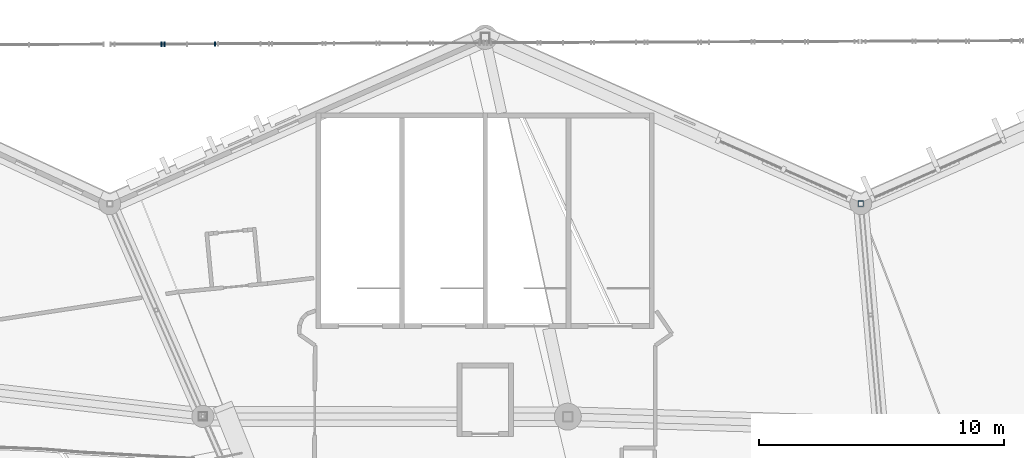
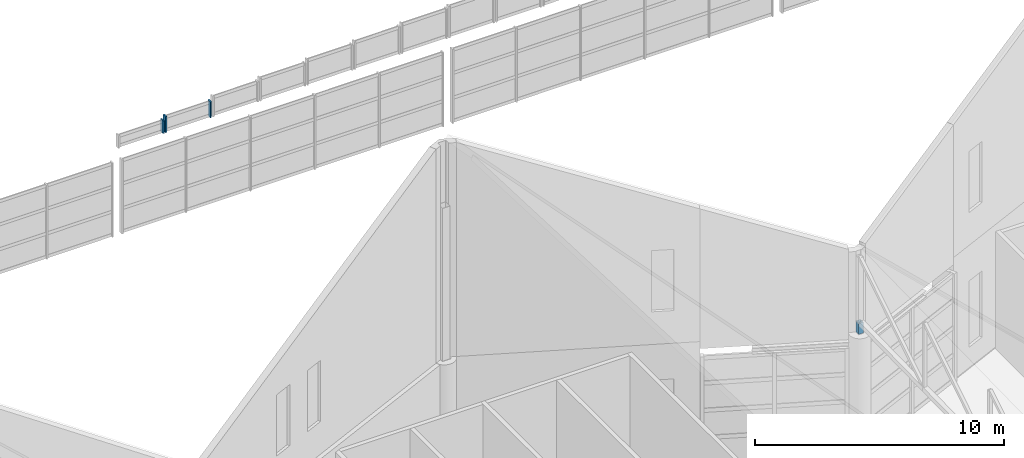
# One storey, part 220 of 344: 4 members, 2 elements without a shape of their own.
"""IFC4 building model written with IfcOpenShell, lengths in metres."""

from ifc_helpers import new_model, si_unit, direction, frame, origin, origin_2d, place, context, subcontext, project, spatial, rectangle, hollow_rectangle, extrude, material, layer, layer_set, material_profile, profile_set, type_object, element, aggregate, save


model = new_model("IFC4")

# Units and contexts
model_context = context("Model", 3, precision=1e-05, world=origin(), true_north=direction((0.0, 1.0)))
body_context = subcontext(model_context, "Body", "Model", "MODEL_VIEW")
ifc_project = project(units=[si_unit("LENGTHUNIT", "METRE"), si_unit("AREAUNIT", "SQUARE_METRE"), si_unit("VOLUMEUNIT", "CUBIC_METRE"), si_unit("PLANEANGLEUNIT", "RADIAN"), si_unit("MASSUNIT", "GRAM", prefix="KILO")], contexts=[model_context])

# Site, building, storey
site_placement = place(None, origin())
site = spatial("IfcSite", under=ifc_project, at=site_placement, CompositionType="ELEMENT")
building_placement = place(site_placement, origin())
building = spatial("IfcBuilding", under=site, at=building_placement, Name="Meseta Stadium", CompositionType="ELEMENT")
storey_placement = place(building_placement, frame((0.0, 0.0, 24.0)))
storey = spatial("IfcBuildingStorey", under=building, at=storey_placement, Name="L04", CompositionType="ELEMENT", Elevation=24.0)

# Curtain wall, members
ifc_material_1 = material(Name="Aluminium", Category="aluminium")
ifc_layer = layer(ifc_material_1, 0.199951171875)
ifc_layer_set = layer_set([ifc_layer], Name="Gable glazing curtain wall")
curtain_wall_type = type_object("IfcCurtainWallType", Name="Gable glazing curtain wall", PredefinedType="NOTDEFINED", material=ifc_layer_set)
curtain_wall_1_placement = place(storey_placement, origin())
curtain_wall_1 = element("IfcCurtainWall", 1, at=curtain_wall_1_placement, inside=storey, type_object=curtain_wall_type, Name="Gable glazing north bay 34", PredefinedType="NOTDEFINED")
ifc_material_2 = material(Name="Aluminium", Category="aluminium")
ifc_material_profile_1 = material_profile(ifc_material_2, rectangle(XDim=0.199951171875, YDim=0.06005859375, at=origin_2d()), Name="CW 200x60")
ifc_profile_set_1 = profile_set([ifc_material_profile_1], Name="Aluminium")
member_type_1 = type_object("IfcMemberType", Name="CW mullion 60x200", PredefinedType="MULLION", material=ifc_profile_set_1)
member_1_placement = place(storey_placement, frame((-34.031982421875, 105.12158203125, 21.85498046875), z_axis=(0.0, 0.0, 1.0), x_axis=(0.003847534181, -0.999992598213, 0.0)))
member_1 = element("IfcMember", 2, at=member_1_placement, type_object=member_type_1, Name="CWG mullion 1", PredefinedType="MULLION", context=body_context, shape_type="SweptSolid", body=[
    extrude(rectangle(XDim=0.199951171875, YDim=0.06005859375, at=origin_2d()), origin(), (0.0, 0.0, 1.0), 0.78564453125),
])
member_2_placement = place(storey_placement, frame((-36.102294921875, 105.113525390625, 21.85498046875), z_axis=(0.0, 0.0, 1.0), x_axis=(0.003847534181, -0.999992598213, 0.0)))
member_2 = element("IfcMember", 3, at=member_2_placement, type_object=member_type_1, Name="CWG mullion 2", PredefinedType="MULLION", context=body_context, shape_type="SweptSolid", body=[
    extrude(rectangle(XDim=0.199951171875, YDim=0.06005859375, at=origin_2d()), origin(), (0.0, 0.0, 1.0), 0.78564453125),
])
aggregate(curtain_wall_1, [member_1, member_2])

# Curtain wall, member
curtain_wall_2_placement = place(storey_placement, origin())
curtain_wall_2 = element("IfcCurtainWall", 4, at=curtain_wall_2_placement, inside=storey, type_object=curtain_wall_type, Name="Gable glazing north bay 35", PredefinedType="NOTDEFINED")
member_3_placement = place(storey_placement, frame((-36.22607421875, 105.113037109375, 21.85498046875), z_axis=(0.0, 0.0, 1.0), x_axis=(0.003847534181, -0.999992598213, 0.0)))
member_3 = element("IfcMember", 5, at=member_3_placement, type_object=member_type_1, Name="CWG mullion 1", PredefinedType="MULLION", context=body_context, shape_type="SweptSolid", body=[
    extrude(rectangle(XDim=0.199951171875, YDim=0.06005859375, at=origin_2d()), origin(), (0.0, 0.0, 1.0), 0.623779296875),
])
aggregate(curtain_wall_2, [member_3])

# Member
ifc_material_3 = material(Name="Steel S355", Category="steel")
ifc_material_profile_2 = material_profile(ifc_material_3, hollow_rectangle(XDim=0.219970703125, YDim=0.219970703125, WallThickness=0.008056640625, at=origin_2d()), Name="SHS 220x220x8")
ifc_profile_set_2 = profile_set([ifc_material_profile_2], Name="Steel S355")
member_type_2 = type_object("IfcMemberType", Name="SHS 220x220x8 rim post", PredefinedType="POST", material=ifc_profile_set_2)
member_4_placement = place(storey_placement, frame((-7.666748046875, 98.60009765625, 6.0), z_axis=(0.0, 0.0, 1.0), x_axis=(1.0, 0.0, 0.0)))
element("IfcMember", 6, at=member_4_placement, inside=storey, type_object=member_type_2, Name="ROOF RIM POST RT-19", PredefinedType="POST", context=body_context, shape_type="SweptSolid", body=[
    extrude(hollow_rectangle(XDim=0.219970703125, YDim=0.219970703125, WallThickness=0.008056640625, at=origin_2d()), origin(), (0.0, 0.0, 1.0), 0.540771484375),
])

save(model, "model.ifc")
